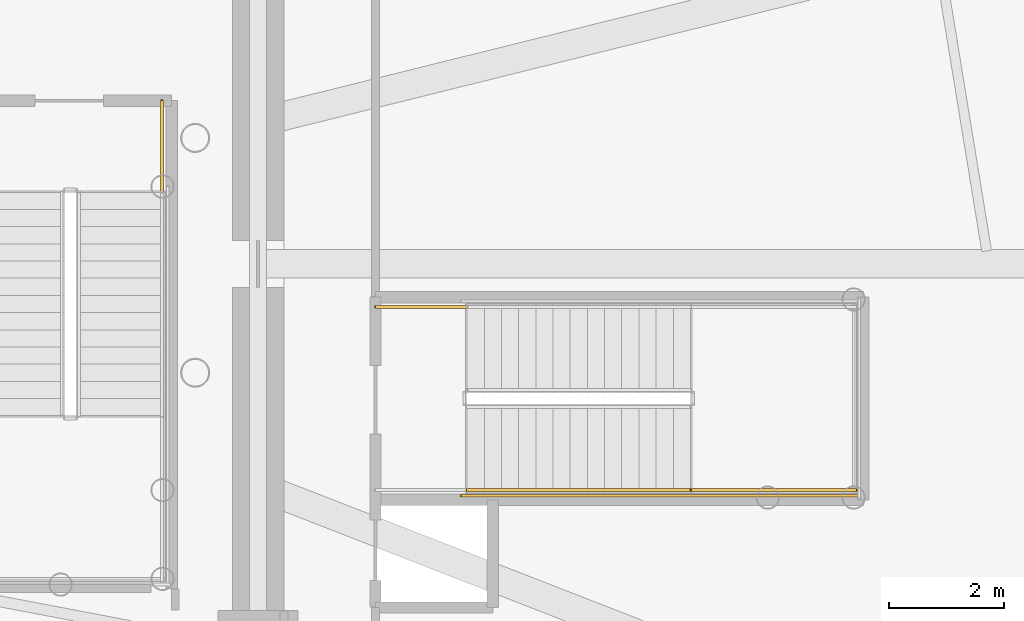
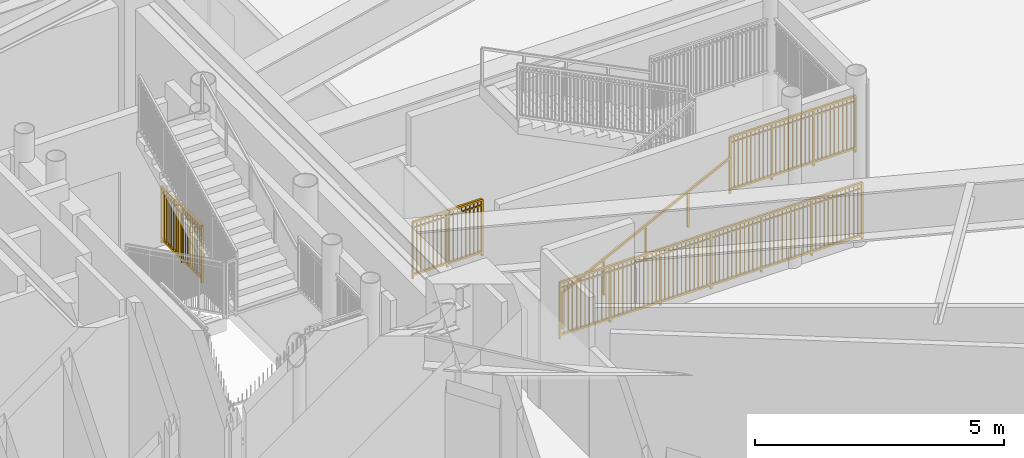
# One storey, part 25 of 27: 5 railings.
"""IFC4 building model written with IfcOpenShell, lengths in metres."""

from ifc_helpers import new_model, si_unit, direction, frame, origin, origin_2d, place, context, subcontext, project, spatial, rectangle, extrude, source, transform, mapped, material, type_object, element, save


model = new_model("IFC4")

# Units and contexts
model_context = context("Model", 3, precision=1e-05, world=origin(), true_north=direction((0.0, 1.0)))
body_context = subcontext(model_context, "Body", "Model", "MODEL_VIEW")
ifc_project = project(units=[si_unit("LENGTHUNIT", "METRE"), si_unit("AREAUNIT", "SQUARE_METRE"), si_unit("VOLUMEUNIT", "CUBIC_METRE"), si_unit("PLANEANGLEUNIT", "RADIAN"), si_unit("MASSUNIT", "GRAM", prefix="KILO")], contexts=[model_context])

# Site, building, storey
site_placement = place(None, origin())
site = spatial("IfcSite", under=ifc_project, at=site_placement, CompositionType="ELEMENT")
building_placement = place(site_placement, origin())
building = spatial("IfcBuilding", under=site, at=building_placement, Name="Linh Dai School and Residence Tower", CompositionType="ELEMENT")
storey_placement = place(building_placement, frame((0.0, 0.0, 22.800048828125)))
storey = spatial("IfcBuildingStorey", under=building, at=storey_placement, Name="L05", CompositionType="ELEMENT", Elevation=22.800048828125)

# Railings
ifc_material_1 = material(Name="Structural Steel S355JR", Category="steel")
railing_type_1 = type_object("IfcRailingType", Name="RL-ST-GUARD-1400", PredefinedType="GUARDRAIL", material=ifc_material_1)
shared_shape_1 = source(origin(), body_context, "Body", "SweptSolid", [
    extrude(rectangle(XDim=0.048095703125, YDim=0.048095703125, at=origin_2d()), frame((0.0, 0.0, 1.3759765625), z_axis=(0.0, -1.0, 0.0), x_axis=(1.0, 0.0, 0.0)), (0.0, 0.0, 1.0), 1.60009765625),
    extrude(rectangle(XDim=0.048095703125, YDim=0.048095703125, at=origin_2d()), frame((0.0, 0.0, 0.10009765625), z_axis=(0.0, -1.0, 0.0), x_axis=(1.0, 0.0, 0.0)), (0.0, 0.0, 1.0), 1.60009765625),
    extrude(rectangle(XDim=0.030029296875, YDim=0.030029296875, at=origin_2d()), frame((0.0, 0.0, 1.239990234375), z_axis=(0.0, -1.0, 0.0), x_axis=(1.0, 0.0, 0.0)), (0.0, 0.0, 1.0), 1.60009765625),
    extrude(rectangle(XDim=0.02001953125, YDim=0.02001953125, at=origin_2d()), frame((0.0, -0.09423828125, 0.10009765625)), (0.0, 0.0, 1.0), 1.251708984375),
    extrude(rectangle(XDim=0.02001953125, YDim=0.02001953125, at=origin_2d()), frame((0.0, -0.188232421875, 0.10009765625)), (0.0, 0.0, 1.0), 1.251708984375),
    extrude(rectangle(XDim=0.02001953125, YDim=0.02001953125, at=origin_2d()), frame((0.0, -0.282470703125, 0.10009765625)), (0.0, 0.0, 1.0), 1.251708984375),
    extrude(rectangle(XDim=0.02001953125, YDim=0.02001953125, at=origin_2d()), frame((0.0, -0.37646484375, 0.10009765625)), (0.0, 0.0, 1.0), 1.251708984375),
    extrude(rectangle(XDim=0.02001953125, YDim=0.02001953125, at=origin_2d()), frame((0.0, -0.470703125, 0.10009765625)), (0.0, 0.0, 1.0), 1.251708984375),
    extrude(rectangle(XDim=0.02001953125, YDim=0.02001953125, at=origin_2d()), frame((0.0, -0.564697265625, 0.10009765625)), (0.0, 0.0, 1.0), 1.251708984375),
    extrude(rectangle(XDim=0.02001953125, YDim=0.02001953125, at=origin_2d()), frame((0.0, -0.658935546875, 0.10009765625)), (0.0, 0.0, 1.0), 1.251708984375),
    extrude(rectangle(XDim=0.02001953125, YDim=0.02001953125, at=origin_2d()), frame((0.0, -0.7529296875, 0.10009765625)), (0.0, 0.0, 1.0), 1.251708984375),
    extrude(rectangle(XDim=0.02001953125, YDim=0.02001953125, at=origin_2d()), frame((0.0, -0.84716796875, 0.10009765625)), (0.0, 0.0, 1.0), 1.251708984375),
    extrude(rectangle(XDim=0.02001953125, YDim=0.02001953125, at=origin_2d()), frame((0.0, -0.941162109375, 0.10009765625)), (0.0, 0.0, 1.0), 1.251708984375),
    extrude(rectangle(XDim=0.02001953125, YDim=0.02001953125, at=origin_2d()), frame((0.0, -1.035400390625, 0.10009765625)), (0.0, 0.0, 1.0), 1.251708984375),
    extrude(rectangle(XDim=0.02001953125, YDim=0.02001953125, at=origin_2d()), frame((0.0, -1.12939453125, 0.10009765625)), (0.0, 0.0, 1.0), 1.251708984375),
    extrude(rectangle(XDim=0.02001953125, YDim=0.02001953125, at=origin_2d()), frame((0.0, -1.2236328125, 0.10009765625)), (0.0, 0.0, 1.0), 1.251708984375),
    extrude(rectangle(XDim=0.02001953125, YDim=0.02001953125, at=origin_2d()), frame((0.0, -1.317626953125, 0.10009765625)), (0.0, 0.0, 1.0), 1.251708984375),
    extrude(rectangle(XDim=0.02001953125, YDim=0.02001953125, at=origin_2d()), frame((0.0, -1.411865234375, 0.10009765625)), (0.0, 0.0, 1.0), 1.251708984375),
    extrude(rectangle(XDim=0.02001953125, YDim=0.02001953125, at=origin_2d()), frame((0.0, -1.505859375, 0.10009765625)), (0.0, 0.0, 1.0), 1.251708984375),
    extrude(rectangle(XDim=0.0419921875, YDim=0.0419921875, at=origin_2d()), origin(), (0.0, 0.0, 1.0), 1.3759765625),
    extrude(rectangle(XDim=0.0419921875, YDim=0.0419921875, at=origin_2d()), frame((0.0, -0.800048828125, 0.0)), (0.0, 0.0, 1.0), 1.3759765625),
    extrude(rectangle(XDim=0.0419921875, YDim=0.0419921875, at=origin_2d()), frame((0.0, -1.60009765625, 0.0)), (0.0, 0.0, 1.0), 1.3759765625),
])
railing_1_placement = place(storey_placement, frame((44.27001953125, 29.85009765625, 0.0)))
element("IfcRailing", 1, at=railing_1_placement, inside=storey, type_object=railing_type_1, Name="L05 ST2 stair guard 9", PredefinedType="GUARDRAIL", context=body_context, shape_type="MappedRepresentation", body=[
    mapped(shared_shape_1, transform((0.0, 0.0, 0.0), x_axis=(1.0, 0.0, 0.0), y_axis=(0.0, 1.0, 0.0), z_axis=(0.0, 0.0, 1.0), scale=1.0)),
])
ifc_material_2 = material(Name="Brushed Stainless Steel Handrail", Category="steel")
railing_type_2 = type_object("IfcRailingType", Name="RL-ST-HANDRAIL-900", PredefinedType="HANDRAIL", material=ifc_material_2)
shared_shape_2 = source(origin(), body_context, "Body", "SweptSolid", [
    extrude(rectangle(XDim=0.048095703125, YDim=0.048095703125, at=origin_2d()), frame((0.0, 0.0, 0.8759765625), z_axis=(0.894427191, 0.0, 0.4472135955), x_axis=(0.0, 1.0, 0.0)), (0.0, 0.0, 1.0), 4.360107421875),
    extrude(rectangle(XDim=0.0419921875, YDim=0.0419921875, at=origin_2d()), origin(), (0.0, 0.0, 1.0), 0.8759765625),
    extrude(rectangle(XDim=0.0419921875, YDim=0.0419921875, at=origin_2d()), frame((0.97509765625, 0.0, 0.487548828125)), (0.0, 0.0, 1.0), 0.8759765625),
    extrude(rectangle(XDim=0.0419921875, YDim=0.0419921875, at=origin_2d()), frame((1.949951171875, 0.0, 0.97509765625)), (0.0, 0.0, 1.0), 0.8759765625),
    extrude(rectangle(XDim=0.0419921875, YDim=0.0419921875, at=origin_2d()), frame((2.9248046875, 0.0, 1.46240234375)), (0.0, 0.0, 1.0), 0.8759765625),
    extrude(rectangle(XDim=0.0419921875, YDim=0.0419921875, at=origin_2d()), frame((3.89990234375, 0.0, 1.949951171875)), (0.0, 0.0, 1.0), 0.8759765625),
])
railing_2_placement = place(storey_placement, frame((49.60009765625, 23.050048828125, 0.14990234375)))
element("IfcRailing", 2, at=railing_2_placement, inside=storey, type_object=railing_type_2, Name="L05 STS2 stair handrail 1", PredefinedType="HANDRAIL", context=body_context, shape_type="MappedRepresentation", body=[
    mapped(shared_shape_2, transform((0.0, 0.0, 0.0), x_axis=(1.0, 0.0, 0.0), y_axis=(0.0, 1.0, 0.0), z_axis=(0.0, 0.0, 1.0), scale=1.0)),
])
shared_shape_3 = source(origin(), body_context, "Body", "SweptSolid", [
    extrude(rectangle(XDim=0.048095703125, YDim=0.048095703125, at=origin_2d()), frame((0.0, 0.0, 1.3759765625), z_axis=(1.0, 0.0, 0.0), x_axis=(0.0, 1.0, 0.0)), (0.0, 0.0, 1.0), 1.60009765625),
    extrude(rectangle(XDim=0.048095703125, YDim=0.048095703125, at=origin_2d()), frame((0.0, 0.0, 0.10009765625), z_axis=(1.0, 0.0, 0.0), x_axis=(0.0, 1.0, 0.0)), (0.0, 0.0, 1.0), 1.60009765625),
    extrude(rectangle(XDim=0.030029296875, YDim=0.030029296875, at=origin_2d()), frame((0.0, 0.0, 1.239990234375), z_axis=(1.0, 0.0, 0.0), x_axis=(0.0, 1.0, 0.0)), (0.0, 0.0, 1.0), 1.60009765625),
    extrude(rectangle(XDim=0.02001953125, YDim=0.02001953125, at=origin_2d()), frame((0.09423828125, 0.0, 0.10009765625)), (0.0, 0.0, 1.0), 1.251708984375),
    extrude(rectangle(XDim=0.02001953125, YDim=0.02001953125, at=origin_2d()), frame((0.188232421875, 0.0, 0.10009765625)), (0.0, 0.0, 1.0), 1.251708984375),
    extrude(rectangle(XDim=0.02001953125, YDim=0.02001953125, at=origin_2d()), frame((0.282470703125, 0.0, 0.10009765625)), (0.0, 0.0, 1.0), 1.251708984375),
    extrude(rectangle(XDim=0.02001953125, YDim=0.02001953125, at=origin_2d()), frame((0.37646484375, 0.0, 0.10009765625)), (0.0, 0.0, 1.0), 1.251708984375),
    extrude(rectangle(XDim=0.02001953125, YDim=0.02001953125, at=origin_2d()), frame((0.470703125, 0.0, 0.10009765625)), (0.0, 0.0, 1.0), 1.251708984375),
    extrude(rectangle(XDim=0.02001953125, YDim=0.02001953125, at=origin_2d()), frame((0.564697265625, 0.0, 0.10009765625)), (0.0, 0.0, 1.0), 1.251708984375),
    extrude(rectangle(XDim=0.02001953125, YDim=0.02001953125, at=origin_2d()), frame((0.658935546875, 0.0, 0.10009765625)), (0.0, 0.0, 1.0), 1.251708984375),
    extrude(rectangle(XDim=0.02001953125, YDim=0.02001953125, at=origin_2d()), frame((0.7529296875, 0.0, 0.10009765625)), (0.0, 0.0, 1.0), 1.251708984375),
    extrude(rectangle(XDim=0.02001953125, YDim=0.02001953125, at=origin_2d()), frame((0.84716796875, 0.0, 0.10009765625)), (0.0, 0.0, 1.0), 1.251708984375),
    extrude(rectangle(XDim=0.02001953125, YDim=0.02001953125, at=origin_2d()), frame((0.941162109375, 0.0, 0.10009765625)), (0.0, 0.0, 1.0), 1.251708984375),
    extrude(rectangle(XDim=0.02001953125, YDim=0.02001953125, at=origin_2d()), frame((1.035400390625, 0.0, 0.10009765625)), (0.0, 0.0, 1.0), 1.251708984375),
    extrude(rectangle(XDim=0.02001953125, YDim=0.02001953125, at=origin_2d()), frame((1.12939453125, 0.0, 0.10009765625)), (0.0, 0.0, 1.0), 1.251708984375),
    extrude(rectangle(XDim=0.02001953125, YDim=0.02001953125, at=origin_2d()), frame((1.2236328125, 0.0, 0.10009765625)), (0.0, 0.0, 1.0), 1.251708984375),
    extrude(rectangle(XDim=0.02001953125, YDim=0.02001953125, at=origin_2d()), frame((1.317626953125, 0.0, 0.10009765625)), (0.0, 0.0, 1.0), 1.251708984375),
    extrude(rectangle(XDim=0.02001953125, YDim=0.02001953125, at=origin_2d()), frame((1.411865234375, 0.0, 0.10009765625)), (0.0, 0.0, 1.0), 1.251708984375),
    extrude(rectangle(XDim=0.02001953125, YDim=0.02001953125, at=origin_2d()), frame((1.505859375, 0.0, 0.10009765625)), (0.0, 0.0, 1.0), 1.251708984375),
    extrude(rectangle(XDim=0.0419921875, YDim=0.0419921875, at=origin_2d()), origin(), (0.0, 0.0, 1.0), 1.3759765625),
    extrude(rectangle(XDim=0.0419921875, YDim=0.0419921875, at=origin_2d()), frame((0.800048828125, 0.0, 0.0)), (0.0, 0.0, 1.0), 1.3759765625),
    extrude(rectangle(XDim=0.0419921875, YDim=0.0419921875, at=origin_2d()), frame((1.60009765625, 0.0, 0.0)), (0.0, 0.0, 1.0), 1.3759765625),
])
railing_3_placement = place(storey_placement, frame((48.0, 26.25, 0.0)))
element("IfcRailing", 3, at=railing_3_placement, inside=storey, type_object=railing_type_1, Name="L05 STS2 stair guard 9", PredefinedType="GUARDRAIL", context=body_context, shape_type="MappedRepresentation", body=[
    mapped(shared_shape_3, transform((0.0, 0.0, 0.0), x_axis=(1.0, 0.0, 0.0), y_axis=(0.0, 1.0, 0.0), z_axis=(0.0, 0.0, 1.0), scale=1.0)),
])
shared_shape_4 = source(origin(), body_context, "Body", "SweptSolid", [
    extrude(rectangle(XDim=0.048095703125, YDim=0.048095703125, at=origin_2d()), frame((0.0, 0.0, 1.3759765625), z_axis=(1.0, 0.0, 0.0), x_axis=(0.0, 1.0, 0.0)), (0.0, 0.0, 1.0), 2.89990234375),
    extrude(rectangle(XDim=0.048095703125, YDim=0.048095703125, at=origin_2d()), frame((0.0, 0.0, 0.10009765625), z_axis=(1.0, 0.0, 0.0), x_axis=(0.0, 1.0, 0.0)), (0.0, 0.0, 1.0), 2.89990234375),
    extrude(rectangle(XDim=0.030029296875, YDim=0.030029296875, at=origin_2d()), frame((0.0, 0.0, 1.239990234375), z_axis=(1.0, 0.0, 0.0), x_axis=(0.0, 1.0, 0.0)), (0.0, 0.0, 1.0), 2.89990234375),
    extrude(rectangle(XDim=0.02001953125, YDim=0.02001953125, at=origin_2d()), frame((0.0966796875, 0.0, 0.10009765625)), (0.0, 0.0, 1.0), 1.251708984375),
    extrude(rectangle(XDim=0.02001953125, YDim=0.02001953125, at=origin_2d()), frame((0.193359375, 0.0, 0.10009765625)), (0.0, 0.0, 1.0), 1.251708984375),
    extrude(rectangle(XDim=0.02001953125, YDim=0.02001953125, at=origin_2d()), frame((0.2900390625, 0.0, 0.10009765625)), (0.0, 0.0, 1.0), 1.251708984375),
    extrude(rectangle(XDim=0.02001953125, YDim=0.02001953125, at=origin_2d()), frame((0.38671875, 0.0, 0.10009765625)), (0.0, 0.0, 1.0), 1.251708984375),
    extrude(rectangle(XDim=0.02001953125, YDim=0.02001953125, at=origin_2d()), frame((0.4833984375, 0.0, 0.10009765625)), (0.0, 0.0, 1.0), 1.251708984375),
    extrude(rectangle(XDim=0.02001953125, YDim=0.02001953125, at=origin_2d()), frame((0.580078125, 0.0, 0.10009765625)), (0.0, 0.0, 1.0), 1.251708984375),
    extrude(rectangle(XDim=0.02001953125, YDim=0.02001953125, at=origin_2d()), frame((0.6767578125, 0.0, 0.10009765625)), (0.0, 0.0, 1.0), 1.251708984375),
    extrude(rectangle(XDim=0.02001953125, YDim=0.02001953125, at=origin_2d()), frame((0.773193359375, 0.0, 0.10009765625)), (0.0, 0.0, 1.0), 1.251708984375),
    extrude(rectangle(XDim=0.02001953125, YDim=0.02001953125, at=origin_2d()), frame((0.869873046875, 0.0, 0.10009765625)), (0.0, 0.0, 1.0), 1.251708984375),
    extrude(rectangle(XDim=0.02001953125, YDim=0.02001953125, at=origin_2d()), frame((1.063232421875, 0.0, 0.10009765625)), (0.0, 0.0, 1.0), 1.251708984375),
    extrude(rectangle(XDim=0.02001953125, YDim=0.02001953125, at=origin_2d()), frame((1.159912109375, 0.0, 0.10009765625)), (0.0, 0.0, 1.0), 1.251708984375),
    extrude(rectangle(XDim=0.02001953125, YDim=0.02001953125, at=origin_2d()), frame((1.256591796875, 0.0, 0.10009765625)), (0.0, 0.0, 1.0), 1.251708984375),
    extrude(rectangle(XDim=0.02001953125, YDim=0.02001953125, at=origin_2d()), frame((1.353271484375, 0.0, 0.10009765625)), (0.0, 0.0, 1.0), 1.251708984375),
    extrude(rectangle(XDim=0.02001953125, YDim=0.02001953125, at=origin_2d()), frame((1.449951171875, 0.0, 0.10009765625)), (0.0, 0.0, 1.0), 1.251708984375),
    extrude(rectangle(XDim=0.02001953125, YDim=0.02001953125, at=origin_2d()), frame((1.546630859375, 0.0, 0.10009765625)), (0.0, 0.0, 1.0), 1.251708984375),
    extrude(rectangle(XDim=0.02001953125, YDim=0.02001953125, at=origin_2d()), frame((1.643310546875, 0.0, 0.10009765625)), (0.0, 0.0, 1.0), 1.251708984375),
    extrude(rectangle(XDim=0.02001953125, YDim=0.02001953125, at=origin_2d()), frame((1.739990234375, 0.0, 0.10009765625)), (0.0, 0.0, 1.0), 1.251708984375),
    extrude(rectangle(XDim=0.02001953125, YDim=0.02001953125, at=origin_2d()), frame((1.836669921875, 0.0, 0.10009765625)), (0.0, 0.0, 1.0), 1.251708984375),
    extrude(rectangle(XDim=0.02001953125, YDim=0.02001953125, at=origin_2d()), frame((2.030029296875, 0.0, 0.10009765625)), (0.0, 0.0, 1.0), 1.251708984375),
    extrude(rectangle(XDim=0.02001953125, YDim=0.02001953125, at=origin_2d()), frame((2.126708984375, 0.0, 0.10009765625)), (0.0, 0.0, 1.0), 1.251708984375),
    extrude(rectangle(XDim=0.02001953125, YDim=0.02001953125, at=origin_2d()), frame((2.22314453125, 0.0, 0.10009765625)), (0.0, 0.0, 1.0), 1.251708984375),
    extrude(rectangle(XDim=0.02001953125, YDim=0.02001953125, at=origin_2d()), frame((2.31982421875, 0.0, 0.10009765625)), (0.0, 0.0, 1.0), 1.251708984375),
    extrude(rectangle(XDim=0.02001953125, YDim=0.02001953125, at=origin_2d()), frame((2.41650390625, 0.0, 0.10009765625)), (0.0, 0.0, 1.0), 1.251708984375),
    extrude(rectangle(XDim=0.02001953125, YDim=0.02001953125, at=origin_2d()), frame((2.51318359375, 0.0, 0.10009765625)), (0.0, 0.0, 1.0), 1.251708984375),
    extrude(rectangle(XDim=0.02001953125, YDim=0.02001953125, at=origin_2d()), frame((2.60986328125, 0.0, 0.10009765625)), (0.0, 0.0, 1.0), 1.251708984375),
    extrude(rectangle(XDim=0.02001953125, YDim=0.02001953125, at=origin_2d()), frame((2.70654296875, 0.0, 0.10009765625)), (0.0, 0.0, 1.0), 1.251708984375),
    extrude(rectangle(XDim=0.02001953125, YDim=0.02001953125, at=origin_2d()), frame((2.80322265625, 0.0, 0.10009765625)), (0.0, 0.0, 1.0), 1.251708984375),
    extrude(rectangle(XDim=0.0419921875, YDim=0.0419921875, at=origin_2d()), origin(), (0.0, 0.0, 1.0), 1.3759765625),
    extrude(rectangle(XDim=0.0419921875, YDim=0.0419921875, at=origin_2d()), frame((0.966552734375, 0.0, 0.0)), (0.0, 0.0, 1.0), 1.3759765625),
    extrude(rectangle(XDim=0.0419921875, YDim=0.0419921875, at=origin_2d()), frame((1.933349609375, 0.0, 0.0)), (0.0, 0.0, 1.0), 1.3759765625),
    extrude(rectangle(XDim=0.0419921875, YDim=0.0419921875, at=origin_2d()), frame((2.89990234375, 0.0, 0.0)), (0.0, 0.0, 1.0), 1.3759765625),
])
railing_4_placement = place(storey_placement, frame((53.5, 23.050048828125, 2.099853515625)))
element("IfcRailing", 4, at=railing_4_placement, inside=storey, type_object=railing_type_1, Name="L05 STS2 stair guard 3", PredefinedType="GUARDRAIL", context=body_context, shape_type="MappedRepresentation", body=[
    mapped(shared_shape_4, transform((0.0, 0.0, 0.0), x_axis=(1.0, 0.0, 0.0), y_axis=(0.0, 1.0, 0.0), z_axis=(0.0, 0.0, 1.0), scale=1.0)),
])
shared_shape_5 = source(origin(), body_context, "Body", "SweptSolid", [
    extrude(rectangle(XDim=0.048095703125, YDim=0.048095703125, at=origin_2d()), frame((0.0, 0.0, 1.3759765625), z_axis=(1.0, 0.0, 0.0), x_axis=(0.0, 1.0, 0.0)), (0.0, 0.0, 1.0), 7.0),
    extrude(rectangle(XDim=0.048095703125, YDim=0.048095703125, at=origin_2d()), frame((0.0, 0.0, 0.10009765625), z_axis=(1.0, 0.0, 0.0), x_axis=(0.0, 1.0, 0.0)), (0.0, 0.0, 1.0), 7.0),
    extrude(rectangle(XDim=0.030029296875, YDim=0.030029296875, at=origin_2d()), frame((0.0, 0.0, 1.239990234375), z_axis=(1.0, 0.0, 0.0), x_axis=(0.0, 1.0, 0.0)), (0.0, 0.0, 1.0), 7.0),
    extrude(rectangle(XDim=0.02001953125, YDim=0.02001953125, at=origin_2d()), frame((0.09716796875, 0.0, 0.10009765625)), (0.0, 0.0, 1.0), 1.251708984375),
    extrude(rectangle(XDim=0.02001953125, YDim=0.02001953125, at=origin_2d()), frame((0.1943359375, 0.0, 0.10009765625)), (0.0, 0.0, 1.0), 1.251708984375),
    extrude(rectangle(XDim=0.02001953125, YDim=0.02001953125, at=origin_2d()), frame((0.291748046875, 0.0, 0.10009765625)), (0.0, 0.0, 1.0), 1.251708984375),
    extrude(rectangle(XDim=0.02001953125, YDim=0.02001953125, at=origin_2d()), frame((0.388916015625, 0.0, 0.10009765625)), (0.0, 0.0, 1.0), 1.251708984375),
    extrude(rectangle(XDim=0.02001953125, YDim=0.02001953125, at=origin_2d()), frame((0.486083984375, 0.0, 0.10009765625)), (0.0, 0.0, 1.0), 1.251708984375),
    extrude(rectangle(XDim=0.02001953125, YDim=0.02001953125, at=origin_2d()), frame((0.583251953125, 0.0, 0.10009765625)), (0.0, 0.0, 1.0), 1.251708984375),
    extrude(rectangle(XDim=0.02001953125, YDim=0.02001953125, at=origin_2d()), frame((0.6806640625, 0.0, 0.10009765625)), (0.0, 0.0, 1.0), 1.251708984375),
    extrude(rectangle(XDim=0.02001953125, YDim=0.02001953125, at=origin_2d()), frame((0.77783203125, 0.0, 0.10009765625)), (0.0, 0.0, 1.0), 1.251708984375),
    extrude(rectangle(XDim=0.02001953125, YDim=0.02001953125, at=origin_2d()), frame((0.875, 0.0, 0.10009765625)), (0.0, 0.0, 1.0), 1.251708984375),
    extrude(rectangle(XDim=0.02001953125, YDim=0.02001953125, at=origin_2d()), frame((0.97216796875, 0.0, 0.10009765625)), (0.0, 0.0, 1.0), 1.251708984375),
    extrude(rectangle(XDim=0.02001953125, YDim=0.02001953125, at=origin_2d()), frame((1.0693359375, 0.0, 0.10009765625)), (0.0, 0.0, 1.0), 1.251708984375),
    extrude(rectangle(XDim=0.02001953125, YDim=0.02001953125, at=origin_2d()), frame((1.263916015625, 0.0, 0.10009765625)), (0.0, 0.0, 1.0), 1.251708984375),
    extrude(rectangle(XDim=0.02001953125, YDim=0.02001953125, at=origin_2d()), frame((1.361083984375, 0.0, 0.10009765625)), (0.0, 0.0, 1.0), 1.251708984375),
    extrude(rectangle(XDim=0.02001953125, YDim=0.02001953125, at=origin_2d()), frame((1.458251953125, 0.0, 0.10009765625)), (0.0, 0.0, 1.0), 1.251708984375),
    extrude(rectangle(XDim=0.02001953125, YDim=0.02001953125, at=origin_2d()), frame((1.5556640625, 0.0, 0.10009765625)), (0.0, 0.0, 1.0), 1.251708984375),
    extrude(rectangle(XDim=0.02001953125, YDim=0.02001953125, at=origin_2d()), frame((1.65283203125, 0.0, 0.10009765625)), (0.0, 0.0, 1.0), 1.251708984375),
    extrude(rectangle(XDim=0.02001953125, YDim=0.02001953125, at=origin_2d()), frame((1.75, 0.0, 0.10009765625)), (0.0, 0.0, 1.0), 1.251708984375),
    extrude(rectangle(XDim=0.02001953125, YDim=0.02001953125, at=origin_2d()), frame((1.84716796875, 0.0, 0.10009765625)), (0.0, 0.0, 1.0), 1.251708984375),
    extrude(rectangle(XDim=0.02001953125, YDim=0.02001953125, at=origin_2d()), frame((1.9443359375, 0.0, 0.10009765625)), (0.0, 0.0, 1.0), 1.251708984375),
    extrude(rectangle(XDim=0.02001953125, YDim=0.02001953125, at=origin_2d()), frame((2.041748046875, 0.0, 0.10009765625)), (0.0, 0.0, 1.0), 1.251708984375),
    extrude(rectangle(XDim=0.02001953125, YDim=0.02001953125, at=origin_2d()), frame((2.138916015625, 0.0, 0.10009765625)), (0.0, 0.0, 1.0), 1.251708984375),
    extrude(rectangle(XDim=0.02001953125, YDim=0.02001953125, at=origin_2d()), frame((2.236083984375, 0.0, 0.10009765625)), (0.0, 0.0, 1.0), 1.251708984375),
    extrude(rectangle(XDim=0.02001953125, YDim=0.02001953125, at=origin_2d()), frame((2.4306640625, 0.0, 0.10009765625)), (0.0, 0.0, 1.0), 1.251708984375),
    extrude(rectangle(XDim=0.02001953125, YDim=0.02001953125, at=origin_2d()), frame((2.52783203125, 0.0, 0.10009765625)), (0.0, 0.0, 1.0), 1.251708984375),
    extrude(rectangle(XDim=0.02001953125, YDim=0.02001953125, at=origin_2d()), frame((2.625, 0.0, 0.10009765625)), (0.0, 0.0, 1.0), 1.251708984375),
    extrude(rectangle(XDim=0.02001953125, YDim=0.02001953125, at=origin_2d()), frame((2.72216796875, 0.0, 0.10009765625)), (0.0, 0.0, 1.0), 1.251708984375),
    extrude(rectangle(XDim=0.02001953125, YDim=0.02001953125, at=origin_2d()), frame((2.8193359375, 0.0, 0.10009765625)), (0.0, 0.0, 1.0), 1.251708984375),
    extrude(rectangle(XDim=0.02001953125, YDim=0.02001953125, at=origin_2d()), frame((2.916748046875, 0.0, 0.10009765625)), (0.0, 0.0, 1.0), 1.251708984375),
    extrude(rectangle(XDim=0.02001953125, YDim=0.02001953125, at=origin_2d()), frame((3.013916015625, 0.0, 0.10009765625)), (0.0, 0.0, 1.0), 1.251708984375),
    extrude(rectangle(XDim=0.02001953125, YDim=0.02001953125, at=origin_2d()), frame((3.111083984375, 0.0, 0.10009765625)), (0.0, 0.0, 1.0), 1.251708984375),
    extrude(rectangle(XDim=0.02001953125, YDim=0.02001953125, at=origin_2d()), frame((3.208251953125, 0.0, 0.10009765625)), (0.0, 0.0, 1.0), 1.251708984375),
    extrude(rectangle(XDim=0.02001953125, YDim=0.02001953125, at=origin_2d()), frame((3.3056640625, 0.0, 0.10009765625)), (0.0, 0.0, 1.0), 1.251708984375),
    extrude(rectangle(XDim=0.02001953125, YDim=0.02001953125, at=origin_2d()), frame((3.40283203125, 0.0, 0.10009765625)), (0.0, 0.0, 1.0), 1.251708984375),
    extrude(rectangle(XDim=0.02001953125, YDim=0.02001953125, at=origin_2d()), frame((3.59716796875, 0.0, 0.10009765625)), (0.0, 0.0, 1.0), 1.251708984375),
    extrude(rectangle(XDim=0.02001953125, YDim=0.02001953125, at=origin_2d()), frame((3.6943359375, 0.0, 0.10009765625)), (0.0, 0.0, 1.0), 1.251708984375),
    extrude(rectangle(XDim=0.02001953125, YDim=0.02001953125, at=origin_2d()), frame((3.791748046875, 0.0, 0.10009765625)), (0.0, 0.0, 1.0), 1.251708984375),
    extrude(rectangle(XDim=0.02001953125, YDim=0.02001953125, at=origin_2d()), frame((3.888916015625, 0.0, 0.10009765625)), (0.0, 0.0, 1.0), 1.251708984375),
    extrude(rectangle(XDim=0.02001953125, YDim=0.02001953125, at=origin_2d()), frame((3.986083984375, 0.0, 0.10009765625)), (0.0, 0.0, 1.0), 1.251708984375),
    extrude(rectangle(XDim=0.02001953125, YDim=0.02001953125, at=origin_2d()), frame((4.083251953125, 0.0, 0.10009765625)), (0.0, 0.0, 1.0), 1.251708984375),
    extrude(rectangle(XDim=0.02001953125, YDim=0.02001953125, at=origin_2d()), frame((4.1806640625, 0.0, 0.10009765625)), (0.0, 0.0, 1.0), 1.251708984375),
    extrude(rectangle(XDim=0.02001953125, YDim=0.02001953125, at=origin_2d()), frame((4.27783203125, 0.0, 0.10009765625)), (0.0, 0.0, 1.0), 1.251708984375),
    extrude(rectangle(XDim=0.02001953125, YDim=0.02001953125, at=origin_2d()), frame((4.375, 0.0, 0.10009765625)), (0.0, 0.0, 1.0), 1.251708984375),
    extrude(rectangle(XDim=0.02001953125, YDim=0.02001953125, at=origin_2d()), frame((4.47216796875, 0.0, 0.10009765625)), (0.0, 0.0, 1.0), 1.251708984375),
    extrude(rectangle(XDim=0.02001953125, YDim=0.02001953125, at=origin_2d()), frame((4.5693359375, 0.0, 0.10009765625)), (0.0, 0.0, 1.0), 1.251708984375),
    extrude(rectangle(XDim=0.02001953125, YDim=0.02001953125, at=origin_2d()), frame((4.763916015625, 0.0, 0.10009765625)), (0.0, 0.0, 1.0), 1.251708984375),
    extrude(rectangle(XDim=0.02001953125, YDim=0.02001953125, at=origin_2d()), frame((4.861083984375, 0.0, 0.10009765625)), (0.0, 0.0, 1.0), 1.251708984375),
    extrude(rectangle(XDim=0.02001953125, YDim=0.02001953125, at=origin_2d()), frame((4.958251953125, 0.0, 0.10009765625)), (0.0, 0.0, 1.0), 1.251708984375),
    extrude(rectangle(XDim=0.02001953125, YDim=0.02001953125, at=origin_2d()), frame((5.0556640625, 0.0, 0.10009765625)), (0.0, 0.0, 1.0), 1.251708984375),
    extrude(rectangle(XDim=0.02001953125, YDim=0.02001953125, at=origin_2d()), frame((5.15283203125, 0.0, 0.10009765625)), (0.0, 0.0, 1.0), 1.251708984375),
    extrude(rectangle(XDim=0.02001953125, YDim=0.02001953125, at=origin_2d()), frame((5.25, 0.0, 0.10009765625)), (0.0, 0.0, 1.0), 1.251708984375),
    extrude(rectangle(XDim=0.02001953125, YDim=0.02001953125, at=origin_2d()), frame((5.34716796875, 0.0, 0.10009765625)), (0.0, 0.0, 1.0), 1.251708984375),
    extrude(rectangle(XDim=0.02001953125, YDim=0.02001953125, at=origin_2d()), frame((5.4443359375, 0.0, 0.10009765625)), (0.0, 0.0, 1.0), 1.251708984375),
    extrude(rectangle(XDim=0.02001953125, YDim=0.02001953125, at=origin_2d()), frame((5.541748046875, 0.0, 0.10009765625)), (0.0, 0.0, 1.0), 1.251708984375),
    extrude(rectangle(XDim=0.02001953125, YDim=0.02001953125, at=origin_2d()), frame((5.638916015625, 0.0, 0.10009765625)), (0.0, 0.0, 1.0), 1.251708984375),
    extrude(rectangle(XDim=0.02001953125, YDim=0.02001953125, at=origin_2d()), frame((5.736083984375, 0.0, 0.10009765625)), (0.0, 0.0, 1.0), 1.251708984375),
    extrude(rectangle(XDim=0.02001953125, YDim=0.02001953125, at=origin_2d()), frame((5.9306640625, 0.0, 0.10009765625)), (0.0, 0.0, 1.0), 1.251708984375),
    extrude(rectangle(XDim=0.02001953125, YDim=0.02001953125, at=origin_2d()), frame((6.02783203125, 0.0, 0.10009765625)), (0.0, 0.0, 1.0), 1.251708984375),
    extrude(rectangle(XDim=0.02001953125, YDim=0.02001953125, at=origin_2d()), frame((6.125, 0.0, 0.10009765625)), (0.0, 0.0, 1.0), 1.251708984375),
    extrude(rectangle(XDim=0.02001953125, YDim=0.02001953125, at=origin_2d()), frame((6.22216796875, 0.0, 0.10009765625)), (0.0, 0.0, 1.0), 1.251708984375),
    extrude(rectangle(XDim=0.02001953125, YDim=0.02001953125, at=origin_2d()), frame((6.3193359375, 0.0, 0.10009765625)), (0.0, 0.0, 1.0), 1.251708984375),
    extrude(rectangle(XDim=0.02001953125, YDim=0.02001953125, at=origin_2d()), frame((6.416748046875, 0.0, 0.10009765625)), (0.0, 0.0, 1.0), 1.251708984375),
    extrude(rectangle(XDim=0.02001953125, YDim=0.02001953125, at=origin_2d()), frame((6.513916015625, 0.0, 0.10009765625)), (0.0, 0.0, 1.0), 1.251708984375),
    extrude(rectangle(XDim=0.02001953125, YDim=0.02001953125, at=origin_2d()), frame((6.611083984375, 0.0, 0.10009765625)), (0.0, 0.0, 1.0), 1.251708984375),
    extrude(rectangle(XDim=0.02001953125, YDim=0.02001953125, at=origin_2d()), frame((6.708251953125, 0.0, 0.10009765625)), (0.0, 0.0, 1.0), 1.251708984375),
    extrude(rectangle(XDim=0.02001953125, YDim=0.02001953125, at=origin_2d()), frame((6.8056640625, 0.0, 0.10009765625)), (0.0, 0.0, 1.0), 1.251708984375),
    extrude(rectangle(XDim=0.02001953125, YDim=0.02001953125, at=origin_2d()), frame((6.90283203125, 0.0, 0.10009765625)), (0.0, 0.0, 1.0), 1.251708984375),
    extrude(rectangle(XDim=0.0419921875, YDim=0.0419921875, at=origin_2d()), origin(), (0.0, 0.0, 1.0), 1.3759765625),
    extrude(rectangle(XDim=0.0419921875, YDim=0.0419921875, at=origin_2d()), frame((1.166748046875, 0.0, 0.0)), (0.0, 0.0, 1.0), 1.3759765625),
    extrude(rectangle(XDim=0.0419921875, YDim=0.0419921875, at=origin_2d()), frame((2.333251953125, 0.0, 0.0)), (0.0, 0.0, 1.0), 1.3759765625),
    extrude(rectangle(XDim=0.0419921875, YDim=0.0419921875, at=origin_2d()), frame((3.5, 0.0, 0.0)), (0.0, 0.0, 1.0), 1.3759765625),
    extrude(rectangle(XDim=0.0419921875, YDim=0.0419921875, at=origin_2d()), frame((4.666748046875, 0.0, 0.0)), (0.0, 0.0, 1.0), 1.3759765625),
    extrude(rectangle(XDim=0.0419921875, YDim=0.0419921875, at=origin_2d()), frame((5.833251953125, 0.0, 0.0)), (0.0, 0.0, 1.0), 1.3759765625),
    extrude(rectangle(XDim=0.0419921875, YDim=0.0419921875, at=origin_2d()), frame((7.0, 0.0, 0.0)), (0.0, 0.0, 1.0), 1.3759765625),
])
railing_5_placement = place(storey_placement, frame((49.5, 22.949951171875, 0.0)))
element("IfcRailing", 5, at=railing_5_placement, inside=storey, type_object=railing_type_1, Name="L05 STS2 stair guard 10", PredefinedType="GUARDRAIL", context=body_context, shape_type="MappedRepresentation", body=[
    mapped(shared_shape_5, transform((0.0, 0.0, 0.0), x_axis=(1.0, 0.0, 0.0), y_axis=(0.0, 1.0, 0.0), z_axis=(0.0, 0.0, 1.0), scale=1.0)),
])

save(model, "model.ifc")
